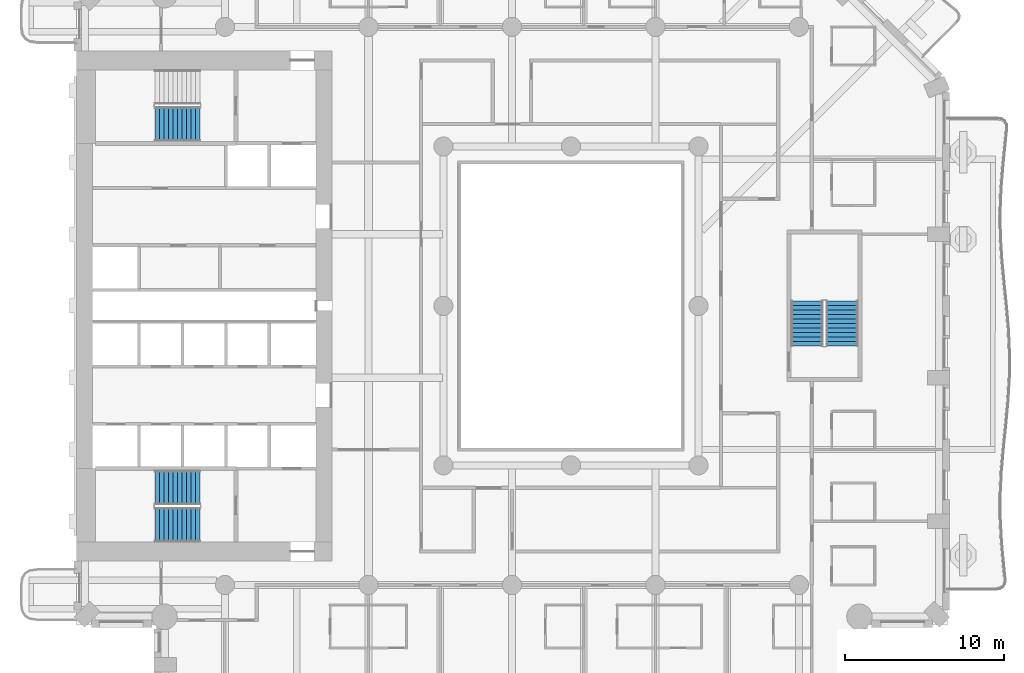
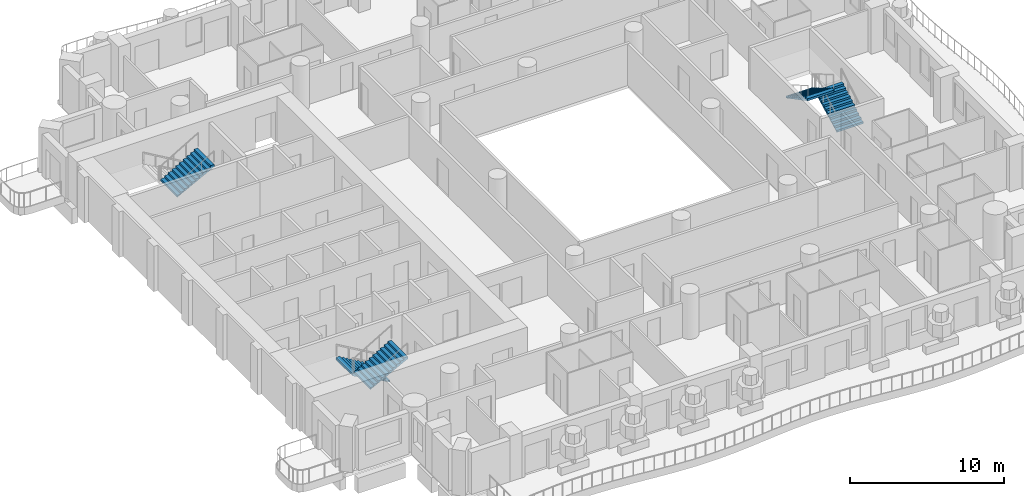
# One storey, part 11 of 20: 5 stair flights, 3 elements without a shape of their own.
"""IFC4 building model written with IfcOpenShell, lengths in metres."""

from ifc_helpers import new_model, si_unit, direction, frame, origin, place, context, subcontext, project, spatial, triangles, material, type_object, element, aggregate, save


model = new_model("IFC4")

# Units and contexts
model_context = context("Model", 3, precision=1e-05, world=origin(), true_north=direction((0.0, 1.0)))
body_context = subcontext(model_context, "Body", "Model", "MODEL_VIEW")
ifc_project = project(units=[si_unit("LENGTHUNIT", "METRE"), si_unit("AREAUNIT", "SQUARE_METRE"), si_unit("VOLUMEUNIT", "CUBIC_METRE"), si_unit("PLANEANGLEUNIT", "RADIAN"), si_unit("MASSUNIT", "GRAM", prefix="KILO")], contexts=[model_context])

# Site, building, storey
site_placement = place(None, origin())
site = spatial("IfcSite", under=ifc_project, at=site_placement, CompositionType="ELEMENT")
building_placement = place(site_placement, origin())
building = spatial("IfcBuilding", under=site, at=building_placement, Name="Cypress Arch Tower", CompositionType="ELEMENT")
storey_placement = place(building_placement, frame((0.0, 0.0, 59.10009765625)))
storey = spatial("IfcBuildingStorey", under=building, at=storey_placement, Name="L08", CompositionType="ELEMENT", Elevation=59.10009765625)

# Stair, stair flights
ifc_material_1 = material(Name="Concrete C40/50", Category="concrete")
stair_type_1 = type_object("IfcStairType", Name="Exit stair ES1636-200", PredefinedType="HALF_TURN_STAIR", material=ifc_material_1)
stair_1_placement = place(storey_placement, origin())
stair_1 = element("IfcStair", 1, at=stair_1_placement, inside=storey, type_object=stair_type_1, Name="L08 Exit stair C", PredefinedType="HALF_TURN_STAIR")
ifc_material_2 = material(Name="Concrete C40/50", Category="concrete")
stair_flight_type_1 = type_object("IfcStairFlightType", Name="Exit stair flight ES1636-200", PredefinedType="STRAIGHT", material=ifc_material_2)
stair_flight_1_placement = place(storey_placement, frame((18.0, -2.5, 0.0), z_axis=(0.0, 0.0, 1.0), x_axis=(0.0, 1.0, 0.0)))
stair_flight_1 = element("IfcStairFlight", 2, at=stair_flight_1_placement, type_object=stair_flight_type_1, Name="C flight 1", NumberOfRisers=11, NumberOfTreads=10, PredefinedType="STRAIGHT", RiserHeight=0.163636364, TreadLength=0.28, context=body_context, shape_type="Tessellation", body=[
    triangles([(0.0, -1.0, 0.0), (0.00048828125, -1.0, 0.054443359375), (0.00048828125, -1.0, 0.109130859375), (0.0, -1.0, 0.16357421875), (0.280029296875, -1.0, 0.16357421875), (0.280029296875, -1.0, 0.327392578125), (0.56005859375, -1.0, 0.327392578125), (0.56005859375, -1.0, 0.490966796875), (0.840087890625, -1.0, 0.490966796875), (0.840087890625, -1.0, 0.654541015625), (1.1201171875, -1.0, 0.654541015625), (1.1201171875, -1.0, 0.818115234375), (1.39990234375, -1.0, 0.818115234375), (1.39990234375, -1.0, 0.98193359375), (1.679931640625, -1.0, 0.98193359375), (1.679931640625, -1.0, 1.1455078125), (1.9599609375, -1.0, 1.1455078125), (1.9599609375, -1.0, 1.30908203125), (2.239990234375, -1.0, 1.30908203125), (2.239990234375, -1.0, 1.47265625), (2.52001953125, -1.0, 1.47265625), (2.52001953125, -1.0, 1.636474609375), (2.800048828125, -1.0, 1.636474609375), (2.799560546875, -1.0, 1.57861328125), (2.799560546875, -1.0, 1.5205078125), (2.800048828125, -1.0, 1.462646484375), (2.800048828125, 1.0, 1.462646484375), (2.799560546875, 1.0, 1.5205078125), (2.799560546875, 1.0, 1.57861328125), (2.800048828125, 1.0, 1.636474609375), (2.52001953125, 1.0, 1.636474609375), (2.52001953125, 1.0, 1.47265625), (2.239990234375, 1.0, 1.47265625), (2.239990234375, 1.0, 1.30908203125), (1.9599609375, 1.0, 1.30908203125), (1.9599609375, 1.0, 1.1455078125), (1.679931640625, 1.0, 1.1455078125), (1.679931640625, 1.0, 0.98193359375), (1.39990234375, 1.0, 0.98193359375), (1.39990234375, 1.0, 0.818115234375), (1.1201171875, 1.0, 0.818115234375), (1.1201171875, 1.0, 0.654541015625), (0.840087890625, 1.0, 0.654541015625), (0.840087890625, 1.0, 0.490966796875), (0.56005859375, 1.0, 0.490966796875), (0.56005859375, 1.0, 0.327392578125), (0.280029296875, 1.0, 0.327392578125), (0.280029296875, 1.0, 0.16357421875), (0.0, 1.0, 0.16357421875), (0.00048828125, 1.0, 0.109130859375), (0.00048828125, 1.0, 0.054443359375), (0.0, 1.0, 0.0), (2.799560546875, 0.0, 1.5205078125), (2.800048828125, 0.0, 1.462646484375), (2.799560546875, 0.0, 1.57861328125), (2.800048828125, 0.0, 1.636474609375), (2.52001953125, 0.0, 1.636474609375), (2.52001953125, 0.0, 1.47265625), (2.239990234375, 0.0, 1.47265625), (2.239990234375, 0.0, 1.30908203125), (1.9599609375, 0.0, 1.30908203125), (1.9599609375, 0.0, 1.1455078125), (1.679931640625, 0.0, 1.1455078125), (1.679931640625, 0.0, 0.98193359375), (1.39990234375, 0.0, 0.98193359375), (1.39990234375, 0.0, 0.818115234375), (1.1201171875, 0.0, 0.818115234375), (1.1201171875, 0.0, 0.654541015625), (0.840087890625, 0.0, 0.654541015625), (0.840087890625, 0.0, 0.490966796875), (0.56005859375, 0.0, 0.490966796875), (0.56005859375, 0.0, 0.327392578125), (0.280029296875, 0.0, 0.327392578125), (0.280029296875, 0.0, 0.16357421875), (0.0, 0.0, 0.16357421875), (0.00048828125, 0.0, 0.109130859375), (0.00048828125, 0.0, 0.054443359375), (0.0, 0.0, 0.0)], [[26, 25, 22], [25, 24, 22], [24, 23, 22], [15, 14, 13], [7, 6, 5], [13, 12, 11], [21, 20, 19], [19, 18, 17], [17, 16, 15], [11, 10, 9], [9, 8, 7], [4, 3, 5], [3, 2, 5], [2, 1, 5], [26, 22, 21], [26, 21, 19], [26, 19, 17], [26, 17, 15], [26, 15, 13], [26, 13, 11], [26, 11, 9], [26, 9, 7], [26, 7, 5], [26, 5, 1], [27, 31, 28], [28, 31, 29], [29, 31, 30], [38, 40, 39], [46, 48, 47], [40, 42, 41], [32, 34, 33], [34, 36, 35], [36, 38, 37], [42, 44, 43], [44, 46, 45], [49, 48, 50], [50, 48, 51], [51, 48, 52], [27, 32, 31], [27, 34, 32], [27, 36, 34], [27, 38, 36], [27, 40, 38], [27, 42, 40], [27, 44, 42], [27, 46, 44], [27, 48, 46], [27, 52, 48], [54, 53, 25], [54, 25, 26], [27, 28, 53], [27, 53, 54], [53, 55, 24], [53, 24, 25], [28, 29, 55], [28, 55, 53], [55, 56, 23], [55, 23, 24], [29, 30, 56], [29, 56, 55], [56, 57, 22], [56, 22, 23], [30, 31, 57], [30, 57, 56], [57, 58, 21], [57, 21, 22], [31, 32, 58], [31, 58, 57], [58, 59, 20], [58, 20, 21], [32, 33, 59], [32, 59, 58], [59, 60, 19], [59, 19, 20], [33, 34, 60], [33, 60, 59], [60, 61, 18], [60, 18, 19], [34, 35, 61], [34, 61, 60], [61, 62, 17], [61, 17, 18], [35, 36, 62], [35, 62, 61], [62, 63, 16], [62, 16, 17], [36, 37, 63], [36, 63, 62], [63, 64, 15], [63, 15, 16], [37, 38, 64], [37, 64, 63], [64, 65, 14], [64, 14, 15], [38, 39, 65], [38, 65, 64], [65, 66, 13], [65, 13, 14], [39, 40, 66], [39, 66, 65], [66, 67, 12], [66, 12, 13], [40, 41, 67], [40, 67, 66], [67, 68, 11], [67, 11, 12], [41, 42, 68], [41, 68, 67], [68, 69, 10], [68, 10, 11], [42, 43, 69], [42, 69, 68], [69, 70, 9], [69, 9, 10], [43, 44, 70], [43, 70, 69], [70, 71, 8], [70, 8, 9], [44, 45, 71], [44, 71, 70], [71, 72, 7], [71, 7, 8], [45, 46, 72], [45, 72, 71], [72, 73, 6], [72, 6, 7], [46, 47, 73], [46, 73, 72], [73, 74, 5], [73, 5, 6], [47, 48, 74], [47, 74, 73], [74, 75, 4], [74, 4, 5], [48, 49, 75], [48, 75, 74], [75, 76, 3], [75, 3, 4], [49, 50, 76], [49, 76, 75], [76, 77, 2], [76, 2, 3], [50, 51, 77], [50, 77, 76], [77, 78, 1], [77, 1, 2], [51, 52, 78], [51, 78, 77], [78, 54, 26], [78, 26, 1], [52, 27, 54], [52, 54, 78]], closed=True),
])
stair_flight_2_placement = place(storey_placement, frame((15.800048828125, 0.300048828125, 1.7998046875), z_axis=(0.0, 0.0, 1.0), x_axis=(0.0, -1.0, 0.0)))
stair_flight_2 = element("IfcStairFlight", 3, at=stair_flight_2_placement, type_object=stair_flight_type_1, Name="C flight 2", NumberOfRisers=11, NumberOfTreads=10, PredefinedType="STRAIGHT", RiserHeight=0.163636364, TreadLength=0.28, context=body_context, shape_type="Tessellation", body=[
    triangles([(0.0, -1.0, 0.0), (0.00048828125, -1.0, 0.054443359375), (0.00048828125, -1.0, 0.109130859375), (0.0, -1.0, 0.16357421875), (0.280029296875, -1.0, 0.16357421875), (0.280029296875, -1.0, 0.327392578125), (0.56005859375, -1.0, 0.327392578125), (0.56005859375, -1.0, 0.490966796875), (0.840087890625, -1.0, 0.490966796875), (0.840087890625, -1.0, 0.654541015625), (1.1201171875, -1.0, 0.654541015625), (1.1201171875, -1.0, 0.818115234375), (1.39990234375, -1.0, 0.818115234375), (1.39990234375, -1.0, 0.98193359375), (1.679931640625, -1.0, 0.98193359375), (1.679931640625, -1.0, 1.1455078125), (1.9599609375, -1.0, 1.1455078125), (1.9599609375, -1.0, 1.30908203125), (2.239990234375, -1.0, 1.30908203125), (2.239990234375, -1.0, 1.47265625), (2.52001953125, -1.0, 1.47265625), (2.52001953125, -1.0, 1.636474609375), (2.800048828125, -1.0, 1.636474609375), (2.799560546875, -1.0, 1.57861328125), (2.799560546875, -1.0, 1.5205078125), (2.800048828125, -1.0, 1.462646484375), (2.800048828125, 1.0, 1.462646484375), (2.799560546875, 1.0, 1.5205078125), (2.799560546875, 1.0, 1.57861328125), (2.800048828125, 1.0, 1.636474609375), (2.52001953125, 1.0, 1.636474609375), (2.52001953125, 1.0, 1.47265625), (2.239990234375, 1.0, 1.47265625), (2.239990234375, 1.0, 1.30908203125), (1.9599609375, 1.0, 1.30908203125), (1.9599609375, 1.0, 1.1455078125), (1.679931640625, 1.0, 1.1455078125), (1.679931640625, 1.0, 0.98193359375), (1.39990234375, 1.0, 0.98193359375), (1.39990234375, 1.0, 0.818115234375), (1.1201171875, 1.0, 0.818115234375), (1.1201171875, 1.0, 0.654541015625), (0.840087890625, 1.0, 0.654541015625), (0.840087890625, 1.0, 0.490966796875), (0.56005859375, 1.0, 0.490966796875), (0.56005859375, 1.0, 0.327392578125), (0.280029296875, 1.0, 0.327392578125), (0.280029296875, 1.0, 0.16357421875), (0.0, 1.0, 0.16357421875), (0.00048828125, 1.0, 0.109130859375), (0.00048828125, 1.0, 0.054443359375), (0.0, 1.0, 0.0), (2.799560546875, 0.0, 1.5205078125), (2.800048828125, 0.0, 1.462646484375), (2.799560546875, 0.0, 1.57861328125), (2.800048828125, 0.0, 1.636474609375), (2.52001953125, 0.0, 1.636474609375), (2.52001953125, 0.0, 1.47265625), (2.239990234375, 0.0, 1.47265625), (2.239990234375, 0.0, 1.30908203125), (1.9599609375, 0.0, 1.30908203125), (1.9599609375, 0.0, 1.1455078125), (1.679931640625, 0.0, 1.1455078125), (1.679931640625, 0.0, 0.98193359375), (1.39990234375, 0.0, 0.98193359375), (1.39990234375, 0.0, 0.818115234375), (1.1201171875, 0.0, 0.818115234375), (1.1201171875, 0.0, 0.654541015625), (0.840087890625, 0.0, 0.654541015625), (0.840087890625, 0.0, 0.490966796875), (0.56005859375, 0.0, 0.490966796875), (0.56005859375, 0.0, 0.327392578125), (0.280029296875, 0.0, 0.327392578125), (0.280029296875, 0.0, 0.16357421875), (0.0, 0.0, 0.16357421875), (0.00048828125, 0.0, 0.109130859375), (0.00048828125, 0.0, 0.054443359375), (0.0, 0.0, 0.0)], [[26, 25, 22], [25, 24, 22], [24, 23, 22], [15, 14, 13], [7, 6, 5], [13, 12, 11], [21, 20, 19], [19, 18, 17], [17, 16, 15], [11, 10, 9], [9, 8, 7], [4, 3, 5], [3, 2, 5], [2, 1, 5], [26, 22, 21], [26, 21, 19], [26, 19, 17], [26, 17, 15], [26, 15, 13], [26, 13, 11], [26, 11, 9], [26, 9, 7], [26, 7, 5], [26, 5, 1], [27, 31, 28], [28, 31, 29], [29, 31, 30], [38, 40, 39], [46, 48, 47], [40, 42, 41], [32, 34, 33], [34, 36, 35], [36, 38, 37], [42, 44, 43], [44, 46, 45], [49, 48, 50], [50, 48, 51], [51, 48, 52], [27, 32, 31], [27, 34, 32], [27, 36, 34], [27, 38, 36], [27, 40, 38], [27, 42, 40], [27, 44, 42], [27, 46, 44], [27, 48, 46], [27, 52, 48], [54, 53, 25], [54, 25, 26], [27, 28, 53], [27, 53, 54], [53, 55, 24], [53, 24, 25], [28, 29, 55], [28, 55, 53], [55, 56, 23], [55, 23, 24], [29, 30, 56], [29, 56, 55], [56, 57, 22], [56, 22, 23], [30, 31, 57], [30, 57, 56], [57, 58, 21], [57, 21, 22], [31, 32, 58], [31, 58, 57], [58, 59, 20], [58, 20, 21], [32, 33, 59], [32, 59, 58], [59, 60, 19], [59, 19, 20], [33, 34, 60], [33, 60, 59], [60, 61, 18], [60, 18, 19], [34, 35, 61], [34, 61, 60], [61, 62, 17], [61, 17, 18], [35, 36, 62], [35, 62, 61], [62, 63, 16], [62, 16, 17], [36, 37, 63], [36, 63, 62], [63, 64, 15], [63, 15, 16], [37, 38, 64], [37, 64, 63], [64, 65, 14], [64, 14, 15], [38, 39, 65], [38, 65, 64], [65, 66, 13], [65, 13, 14], [39, 40, 66], [39, 66, 65], [66, 67, 12], [66, 12, 13], [40, 41, 67], [40, 67, 66], [67, 68, 11], [67, 11, 12], [41, 42, 68], [41, 68, 67], [68, 69, 10], [68, 10, 11], [42, 43, 69], [42, 69, 68], [69, 70, 9], [69, 9, 10], [43, 44, 70], [43, 70, 69], [70, 71, 8], [70, 8, 9], [44, 45, 71], [44, 71, 70], [71, 72, 7], [71, 7, 8], [45, 46, 72], [45, 72, 71], [72, 73, 6], [72, 6, 7], [46, 47, 73], [46, 73, 72], [73, 74, 5], [73, 5, 6], [47, 48, 74], [47, 74, 73], [74, 75, 4], [74, 4, 5], [48, 49, 75], [48, 75, 74], [75, 76, 3], [75, 3, 4], [49, 50, 76], [49, 76, 75], [76, 77, 2], [76, 2, 3], [50, 51, 77], [50, 77, 76], [77, 78, 1], [77, 1, 2], [51, 52, 78], [51, 78, 77], [78, 54, 26], [78, 26, 1], [52, 27, 54], [52, 54, 78]], closed=True),
])
aggregate(stair_1, [stair_flight_1, stair_flight_2])

ifc_material_3 = material(Name="Concrete C40/50", Category="concrete")
stair_type_2 = type_object("IfcStairType", Name="Exit stair ES1636-215", PredefinedType="HALF_TURN_STAIR", material=ifc_material_3)
stair_2_placement = place(storey_placement, origin())
stair_2 = element("IfcStair", 4, at=stair_2_placement, inside=storey, type_object=stair_type_2, Name="L08 Exit stair A", PredefinedType="HALF_TURN_STAIR")
ifc_material_4 = material(Name="Concrete C40/50", Category="concrete")
stair_flight_type_2 = type_object("IfcStairFlightType", Name="Exit stair flight ES1636-215", PredefinedType="STRAIGHT", material=ifc_material_4)
stair_flight_3_placement = place(storey_placement, frame((-22.27490234375, -11.39990234375, 0.0), z_axis=(0.0, 0.0, 1.0), x_axis=(-1.0, 0.0, 0.0)))
stair_flight_3 = element("IfcStairFlight", 5, at=stair_flight_3_placement, type_object=stair_flight_type_2, Name="A flight 1", NumberOfRisers=11, NumberOfTreads=10, PredefinedType="STRAIGHT", RiserHeight=0.163636364, TreadLength=0.28, context=body_context, shape_type="Tessellation", body=[
    triangles([(0.0, -1.074951171875, 0.0), (0.000244140625, -1.074951171875, 0.03271484375), (0.00048828125, -1.074951171875, 0.0654296875), (0.00048828125, -1.074951171875, 0.09814453125), (0.000244140625, -1.074951171875, 0.130859375), (0.0, -1.074951171875, 0.16357421875), (0.280029296875, -1.074951171875, 0.16357421875), (0.280029296875, -1.074951171875, 0.327392578125), (0.56005859375, -1.074951171875, 0.327392578125), (0.56005859375, -1.074951171875, 0.490966796875), (0.840087890625, -1.074951171875, 0.490966796875), (0.840087890625, -1.074951171875, 0.654541015625), (1.1201171875, -1.074951171875, 0.654541015625), (1.1201171875, -1.074951171875, 0.818115234375), (1.39990234375, -1.074951171875, 0.818115234375), (1.39990234375, -1.074951171875, 0.98193359375), (1.679931640625, -1.074951171875, 0.98193359375), (1.679931640625, -1.074951171875, 1.1455078125), (1.9599609375, -1.074951171875, 1.1455078125), (1.9599609375, -1.074951171875, 1.30908203125), (2.239990234375, -1.074951171875, 1.30908203125), (2.239990234375, -1.074951171875, 1.47265625), (2.52001953125, -1.074951171875, 1.47265625), (2.52001953125, -1.074951171875, 1.636474609375), (2.800048828125, -1.074951171875, 1.636474609375), (2.7998046875, -1.074951171875, 1.601806640625), (2.799560546875, -1.074951171875, 1.56689453125), (2.799560546875, -1.074951171875, 1.5322265625), (2.7998046875, -1.074951171875, 1.497314453125), (2.800048828125, -1.074951171875, 1.462646484375), (2.800048828125, 1.074951171875, 1.462646484375), (2.7998046875, 1.074951171875, 1.497314453125), (2.799560546875, 1.074951171875, 1.5322265625), (2.799560546875, 1.074951171875, 1.56689453125), (2.7998046875, 1.074951171875, 1.601806640625), (2.800048828125, 1.074951171875, 1.636474609375), (2.52001953125, 1.074951171875, 1.636474609375), (2.52001953125, 1.074951171875, 1.47265625), (2.239990234375, 1.074951171875, 1.47265625), (2.239990234375, 1.074951171875, 1.30908203125), (1.9599609375, 1.074951171875, 1.30908203125), (1.9599609375, 1.074951171875, 1.1455078125), (1.679931640625, 1.074951171875, 1.1455078125), (1.679931640625, 1.074951171875, 0.98193359375), (1.39990234375, 1.074951171875, 0.98193359375), (1.39990234375, 1.074951171875, 0.818115234375), (1.1201171875, 1.074951171875, 0.818115234375), (1.1201171875, 1.074951171875, 0.654541015625), (0.840087890625, 1.074951171875, 0.654541015625), (0.840087890625, 1.074951171875, 0.490966796875), (0.56005859375, 1.074951171875, 0.490966796875), (0.56005859375, 1.074951171875, 0.327392578125), (0.280029296875, 1.074951171875, 0.327392578125), (0.280029296875, 1.074951171875, 0.16357421875), (0.0, 1.074951171875, 0.16357421875), (0.000244140625, 1.074951171875, 0.130859375), (0.00048828125, 1.074951171875, 0.09814453125), (0.00048828125, 1.074951171875, 0.0654296875), (0.000244140625, 1.074951171875, 0.03271484375), (0.0, 1.074951171875, 0.0), (2.7998046875, 0.0, 1.497314453125), (2.800048828125, 0.0, 1.462646484375), (2.799560546875, 0.0, 1.5322265625), (2.799560546875, 0.0, 1.56689453125), (2.7998046875, 0.0, 1.601806640625), (2.800048828125, 0.0, 1.636474609375), (2.52001953125, 0.0, 1.636474609375), (2.52001953125, 0.0, 1.47265625), (2.239990234375, 0.0, 1.47265625), (2.239990234375, 0.0, 1.30908203125), (1.9599609375, 0.0, 1.30908203125), (1.9599609375, 0.0, 1.1455078125), (1.679931640625, 0.0, 1.1455078125), (1.679931640625, 0.0, 0.98193359375), (1.39990234375, 0.0, 0.98193359375), (1.39990234375, 0.0, 0.818115234375), (1.1201171875, 0.0, 0.818115234375), (1.1201171875, 0.0, 0.654541015625), (0.840087890625, 0.0, 0.654541015625), (0.840087890625, 0.0, 0.490966796875), (0.56005859375, 0.0, 0.490966796875), (0.56005859375, 0.0, 0.327392578125), (0.280029296875, 0.0, 0.327392578125), (0.280029296875, 0.0, 0.16357421875), (0.0, 0.0, 0.16357421875), (0.000244140625, 0.0, 0.130859375), (0.00048828125, 0.0, 0.09814453125), (0.00048828125, 0.0, 0.0654296875), (0.000244140625, 0.0, 0.03271484375), (0.0, 0.0, 0.0)], [[30, 29, 24], [29, 28, 24], [28, 27, 24], [27, 26, 24], [26, 25, 24], [17, 16, 15], [9, 8, 7], [15, 14, 13], [23, 22, 21], [21, 20, 19], [19, 18, 17], [13, 12, 11], [11, 10, 9], [6, 5, 7], [5, 4, 7], [4, 3, 7], [3, 2, 7], [2, 1, 7], [30, 24, 23], [30, 23, 21], [30, 21, 19], [30, 19, 17], [30, 17, 15], [30, 15, 13], [30, 13, 11], [30, 11, 9], [30, 9, 7], [30, 7, 1], [31, 37, 32], [32, 37, 33], [33, 37, 34], [34, 37, 35], [35, 37, 36], [44, 46, 45], [52, 54, 53], [46, 48, 47], [38, 40, 39], [40, 42, 41], [42, 44, 43], [48, 50, 49], [50, 52, 51], [55, 54, 56], [56, 54, 57], [57, 54, 58], [58, 54, 59], [59, 54, 60], [31, 38, 37], [31, 40, 38], [31, 42, 40], [31, 44, 42], [31, 46, 44], [31, 48, 46], [31, 50, 48], [31, 52, 50], [31, 54, 52], [31, 60, 54], [62, 61, 29], [62, 29, 30], [31, 32, 61], [31, 61, 62], [61, 63, 28], [61, 28, 29], [32, 33, 63], [32, 63, 61], [63, 64, 27], [63, 27, 28], [33, 34, 64], [33, 64, 63], [64, 65, 26], [64, 26, 27], [34, 35, 65], [34, 65, 64], [65, 66, 25], [65, 25, 26], [35, 36, 66], [35, 66, 65], [66, 67, 24], [66, 24, 25], [36, 37, 67], [36, 67, 66], [67, 68, 23], [67, 23, 24], [37, 38, 68], [37, 68, 67], [68, 69, 22], [68, 22, 23], [38, 39, 69], [38, 69, 68], [69, 70, 21], [69, 21, 22], [39, 40, 70], [39, 70, 69], [70, 71, 20], [70, 20, 21], [40, 41, 71], [40, 71, 70], [71, 72, 19], [71, 19, 20], [41, 42, 72], [41, 72, 71], [72, 73, 18], [72, 18, 19], [42, 43, 73], [42, 73, 72], [73, 74, 17], [73, 17, 18], [43, 44, 74], [43, 74, 73], [74, 75, 16], [74, 16, 17], [44, 45, 75], [44, 75, 74], [75, 76, 15], [75, 15, 16], [45, 46, 76], [45, 76, 75], [76, 77, 14], [76, 14, 15], [46, 47, 77], [46, 77, 76], [77, 78, 13], [77, 13, 14], [47, 48, 78], [47, 78, 77], [78, 79, 12], [78, 12, 13], [48, 49, 79], [48, 79, 78], [79, 80, 11], [79, 11, 12], [49, 50, 80], [49, 80, 79], [80, 81, 10], [80, 10, 11], [50, 51, 81], [50, 81, 80], [81, 82, 9], [81, 9, 10], [51, 52, 82], [51, 82, 81], [82, 83, 8], [82, 8, 9], [52, 53, 83], [52, 83, 82], [83, 84, 7], [83, 7, 8], [53, 54, 84], [53, 84, 83], [84, 85, 6], [84, 6, 7], [54, 55, 85], [54, 85, 84], [85, 86, 5], [85, 5, 6], [55, 56, 86], [55, 86, 85], [86, 87, 4], [86, 4, 5], [56, 57, 87], [56, 87, 86], [87, 88, 3], [87, 3, 4], [57, 58, 88], [57, 88, 87], [88, 89, 2], [88, 2, 3], [58, 59, 89], [58, 89, 88], [89, 90, 1], [89, 1, 2], [59, 60, 90], [59, 90, 89], [90, 62, 30], [90, 30, 1], [60, 31, 62], [60, 62, 90]], closed=True),
])
stair_flight_4_placement = place(storey_placement, frame((-25.074951171875, -13.72509765625, 1.7998046875), z_axis=(0.0, 0.0, 1.0), x_axis=(1.0, 0.0, 0.0)))
stair_flight_4 = element("IfcStairFlight", 6, at=stair_flight_4_placement, type_object=stair_flight_type_2, Name="A flight 2", NumberOfRisers=11, NumberOfTreads=10, PredefinedType="STRAIGHT", RiserHeight=0.163636364, TreadLength=0.28, context=body_context, shape_type="Tessellation", body=[
    triangles([(0.0, -1.074951171875, 0.0), (0.000244140625, -1.074951171875, 0.03271484375), (0.00048828125, -1.074951171875, 0.0654296875), (0.00048828125, -1.074951171875, 0.09814453125), (0.000244140625, -1.074951171875, 0.130859375), (0.0, -1.074951171875, 0.16357421875), (0.280029296875, -1.074951171875, 0.16357421875), (0.280029296875, -1.074951171875, 0.327392578125), (0.56005859375, -1.074951171875, 0.327392578125), (0.56005859375, -1.074951171875, 0.490966796875), (0.840087890625, -1.074951171875, 0.490966796875), (0.840087890625, -1.074951171875, 0.654541015625), (1.1201171875, -1.074951171875, 0.654541015625), (1.1201171875, -1.074951171875, 0.818115234375), (1.39990234375, -1.074951171875, 0.818115234375), (1.39990234375, -1.074951171875, 0.98193359375), (1.679931640625, -1.074951171875, 0.98193359375), (1.679931640625, -1.074951171875, 1.1455078125), (1.9599609375, -1.074951171875, 1.1455078125), (1.9599609375, -1.074951171875, 1.30908203125), (2.239990234375, -1.074951171875, 1.30908203125), (2.239990234375, -1.074951171875, 1.47265625), (2.52001953125, -1.074951171875, 1.47265625), (2.52001953125, -1.074951171875, 1.636474609375), (2.800048828125, -1.074951171875, 1.636474609375), (2.7998046875, -1.074951171875, 1.601806640625), (2.799560546875, -1.074951171875, 1.56689453125), (2.799560546875, -1.074951171875, 1.5322265625), (2.7998046875, -1.074951171875, 1.497314453125), (2.800048828125, -1.074951171875, 1.462646484375), (2.800048828125, 1.074951171875, 1.462646484375), (2.7998046875, 1.074951171875, 1.497314453125), (2.799560546875, 1.074951171875, 1.5322265625), (2.799560546875, 1.074951171875, 1.56689453125), (2.7998046875, 1.074951171875, 1.601806640625), (2.800048828125, 1.074951171875, 1.636474609375), (2.52001953125, 1.074951171875, 1.636474609375), (2.52001953125, 1.074951171875, 1.47265625), (2.239990234375, 1.074951171875, 1.47265625), (2.239990234375, 1.074951171875, 1.30908203125), (1.9599609375, 1.074951171875, 1.30908203125), (1.9599609375, 1.074951171875, 1.1455078125), (1.679931640625, 1.074951171875, 1.1455078125), (1.679931640625, 1.074951171875, 0.98193359375), (1.39990234375, 1.074951171875, 0.98193359375), (1.39990234375, 1.074951171875, 0.818115234375), (1.1201171875, 1.074951171875, 0.818115234375), (1.1201171875, 1.074951171875, 0.654541015625), (0.840087890625, 1.074951171875, 0.654541015625), (0.840087890625, 1.074951171875, 0.490966796875), (0.56005859375, 1.074951171875, 0.490966796875), (0.56005859375, 1.074951171875, 0.327392578125), (0.280029296875, 1.074951171875, 0.327392578125), (0.280029296875, 1.074951171875, 0.16357421875), (0.0, 1.074951171875, 0.16357421875), (0.000244140625, 1.074951171875, 0.130859375), (0.00048828125, 1.074951171875, 0.09814453125), (0.00048828125, 1.074951171875, 0.0654296875), (0.000244140625, 1.074951171875, 0.03271484375), (0.0, 1.074951171875, 0.0), (2.7998046875, 0.0, 1.497314453125), (2.800048828125, 0.0, 1.462646484375), (2.799560546875, 0.0, 1.5322265625), (2.799560546875, 0.0, 1.56689453125), (2.7998046875, 0.0, 1.601806640625), (2.800048828125, 0.0, 1.636474609375), (2.52001953125, 0.0, 1.636474609375), (2.52001953125, 0.0, 1.47265625), (2.239990234375, 0.0, 1.47265625), (2.239990234375, 0.0, 1.30908203125), (1.9599609375, 0.0, 1.30908203125), (1.9599609375, 0.0, 1.1455078125), (1.679931640625, 0.0, 1.1455078125), (1.679931640625, 0.0, 0.98193359375), (1.39990234375, 0.0, 0.98193359375), (1.39990234375, 0.0, 0.818115234375), (1.1201171875, 0.0, 0.818115234375), (1.1201171875, 0.0, 0.654541015625), (0.840087890625, 0.0, 0.654541015625), (0.840087890625, 0.0, 0.490966796875), (0.56005859375, 0.0, 0.490966796875), (0.56005859375, 0.0, 0.327392578125), (0.280029296875, 0.0, 0.327392578125), (0.280029296875, 0.0, 0.16357421875), (0.0, 0.0, 0.16357421875), (0.000244140625, 0.0, 0.130859375), (0.00048828125, 0.0, 0.09814453125), (0.00048828125, 0.0, 0.0654296875), (0.000244140625, 0.0, 0.03271484375), (0.0, 0.0, 0.0)], [[30, 29, 24], [29, 28, 24], [28, 27, 24], [27, 26, 24], [26, 25, 24], [17, 16, 15], [9, 8, 7], [15, 14, 13], [23, 22, 21], [21, 20, 19], [19, 18, 17], [13, 12, 11], [11, 10, 9], [6, 5, 7], [5, 4, 7], [4, 3, 7], [3, 2, 7], [2, 1, 7], [30, 24, 23], [30, 23, 21], [30, 21, 19], [30, 19, 17], [30, 17, 15], [30, 15, 13], [30, 13, 11], [30, 11, 9], [30, 9, 7], [30, 7, 1], [31, 37, 32], [32, 37, 33], [33, 37, 34], [34, 37, 35], [35, 37, 36], [44, 46, 45], [52, 54, 53], [46, 48, 47], [38, 40, 39], [40, 42, 41], [42, 44, 43], [48, 50, 49], [50, 52, 51], [55, 54, 56], [56, 54, 57], [57, 54, 58], [58, 54, 59], [59, 54, 60], [31, 38, 37], [31, 40, 38], [31, 42, 40], [31, 44, 42], [31, 46, 44], [31, 48, 46], [31, 50, 48], [31, 52, 50], [31, 54, 52], [31, 60, 54], [62, 61, 29], [62, 29, 30], [31, 32, 61], [31, 61, 62], [61, 63, 28], [61, 28, 29], [32, 33, 63], [32, 63, 61], [63, 64, 27], [63, 27, 28], [33, 34, 64], [33, 64, 63], [64, 65, 26], [64, 26, 27], [34, 35, 65], [34, 65, 64], [65, 66, 25], [65, 25, 26], [35, 36, 66], [35, 66, 65], [66, 67, 24], [66, 24, 25], [36, 37, 67], [36, 67, 66], [67, 68, 23], [67, 23, 24], [37, 38, 68], [37, 68, 67], [68, 69, 22], [68, 22, 23], [38, 39, 69], [38, 69, 68], [69, 70, 21], [69, 21, 22], [39, 40, 70], [39, 70, 69], [70, 71, 20], [70, 20, 21], [40, 41, 71], [40, 71, 70], [71, 72, 19], [71, 19, 20], [41, 42, 72], [41, 72, 71], [72, 73, 18], [72, 18, 19], [42, 43, 73], [42, 73, 72], [73, 74, 17], [73, 17, 18], [43, 44, 74], [43, 74, 73], [74, 75, 16], [74, 16, 17], [44, 45, 75], [44, 75, 74], [75, 76, 15], [75, 15, 16], [45, 46, 76], [45, 76, 75], [76, 77, 14], [76, 14, 15], [46, 47, 77], [46, 77, 76], [77, 78, 13], [77, 13, 14], [47, 48, 78], [47, 78, 77], [78, 79, 12], [78, 12, 13], [48, 49, 79], [48, 79, 78], [79, 80, 11], [79, 11, 12], [49, 50, 80], [49, 80, 79], [80, 81, 10], [80, 10, 11], [50, 51, 81], [50, 81, 80], [81, 82, 9], [81, 9, 10], [51, 52, 82], [51, 82, 81], [82, 83, 8], [82, 8, 9], [52, 53, 83], [52, 83, 82], [83, 84, 7], [83, 7, 8], [53, 54, 84], [53, 84, 83], [84, 85, 6], [84, 6, 7], [54, 55, 85], [54, 85, 84], [85, 86, 5], [85, 5, 6], [55, 56, 86], [55, 86, 85], [86, 87, 4], [86, 4, 5], [56, 57, 87], [56, 87, 86], [87, 88, 3], [87, 3, 4], [57, 58, 88], [57, 88, 87], [88, 89, 2], [88, 2, 3], [58, 59, 89], [58, 89, 88], [89, 90, 1], [89, 1, 2], [59, 60, 90], [59, 90, 89], [90, 62, 30], [90, 30, 1], [60, 31, 62], [60, 62, 90]], closed=True),
])
aggregate(stair_2, [stair_flight_3, stair_flight_4])

# Stair, stair flight
stair_3_placement = place(storey_placement, origin())
stair_3 = element("IfcStair", 7, at=stair_3_placement, inside=storey, type_object=stair_type_2, Name="L08 Exit stair B", PredefinedType="HALF_TURN_STAIR")
stair_flight_5_placement = place(storey_placement, frame((-25.074951171875, 11.39990234375, 1.7998046875), z_axis=(0.0, 0.0, 1.0), x_axis=(1.0, 0.0, 0.0)))
stair_flight_5 = element("IfcStairFlight", 8, at=stair_flight_5_placement, type_object=stair_flight_type_2, Name="B flight 2", NumberOfRisers=11, NumberOfTreads=10, PredefinedType="STRAIGHT", RiserHeight=0.163636364, TreadLength=0.28, context=body_context, shape_type="Tessellation", body=[
    triangles([(0.0, -1.074951171875, 0.0), (0.000244140625, -1.074951171875, 0.03271484375), (0.00048828125, -1.074951171875, 0.0654296875), (0.00048828125, -1.074951171875, 0.09814453125), (0.000244140625, -1.074951171875, 0.130859375), (0.0, -1.074951171875, 0.16357421875), (0.280029296875, -1.074951171875, 0.16357421875), (0.280029296875, -1.074951171875, 0.327392578125), (0.56005859375, -1.074951171875, 0.327392578125), (0.56005859375, -1.074951171875, 0.490966796875), (0.840087890625, -1.074951171875, 0.490966796875), (0.840087890625, -1.074951171875, 0.654541015625), (1.1201171875, -1.074951171875, 0.654541015625), (1.1201171875, -1.074951171875, 0.818115234375), (1.39990234375, -1.074951171875, 0.818115234375), (1.39990234375, -1.074951171875, 0.98193359375), (1.679931640625, -1.074951171875, 0.98193359375), (1.679931640625, -1.074951171875, 1.1455078125), (1.9599609375, -1.074951171875, 1.1455078125), (1.9599609375, -1.074951171875, 1.30908203125), (2.239990234375, -1.074951171875, 1.30908203125), (2.239990234375, -1.074951171875, 1.47265625), (2.52001953125, -1.074951171875, 1.47265625), (2.52001953125, -1.074951171875, 1.636474609375), (2.800048828125, -1.074951171875, 1.636474609375), (2.7998046875, -1.074951171875, 1.601806640625), (2.799560546875, -1.074951171875, 1.56689453125), (2.799560546875, -1.074951171875, 1.5322265625), (2.7998046875, -1.074951171875, 1.497314453125), (2.800048828125, -1.074951171875, 1.462646484375), (2.800048828125, 1.074951171875, 1.462646484375), (2.7998046875, 1.074951171875, 1.497314453125), (2.799560546875, 1.074951171875, 1.5322265625), (2.799560546875, 1.074951171875, 1.56689453125), (2.7998046875, 1.074951171875, 1.601806640625), (2.800048828125, 1.074951171875, 1.636474609375), (2.52001953125, 1.074951171875, 1.636474609375), (2.52001953125, 1.074951171875, 1.47265625), (2.239990234375, 1.074951171875, 1.47265625), (2.239990234375, 1.074951171875, 1.30908203125), (1.9599609375, 1.074951171875, 1.30908203125), (1.9599609375, 1.074951171875, 1.1455078125), (1.679931640625, 1.074951171875, 1.1455078125), (1.679931640625, 1.074951171875, 0.98193359375), (1.39990234375, 1.074951171875, 0.98193359375), (1.39990234375, 1.074951171875, 0.818115234375), (1.1201171875, 1.074951171875, 0.818115234375), (1.1201171875, 1.074951171875, 0.654541015625), (0.840087890625, 1.074951171875, 0.654541015625), (0.840087890625, 1.074951171875, 0.490966796875), (0.56005859375, 1.074951171875, 0.490966796875), (0.56005859375, 1.074951171875, 0.327392578125), (0.280029296875, 1.074951171875, 0.327392578125), (0.280029296875, 1.074951171875, 0.16357421875), (0.0, 1.074951171875, 0.16357421875), (0.000244140625, 1.074951171875, 0.130859375), (0.00048828125, 1.074951171875, 0.09814453125), (0.00048828125, 1.074951171875, 0.0654296875), (0.000244140625, 1.074951171875, 0.03271484375), (0.0, 1.074951171875, 0.0), (2.7998046875, 0.0, 1.497314453125), (2.800048828125, 0.0, 1.462646484375), (2.799560546875, 0.0, 1.5322265625), (2.799560546875, 0.0, 1.56689453125), (2.7998046875, 0.0, 1.601806640625), (2.800048828125, 0.0, 1.636474609375), (2.52001953125, 0.0, 1.636474609375), (2.52001953125, 0.0, 1.47265625), (2.239990234375, 0.0, 1.47265625), (2.239990234375, 0.0, 1.30908203125), (1.9599609375, 0.0, 1.30908203125), (1.9599609375, 0.0, 1.1455078125), (1.679931640625, 0.0, 1.1455078125), (1.679931640625, 0.0, 0.98193359375), (1.39990234375, 0.0, 0.98193359375), (1.39990234375, 0.0, 0.818115234375), (1.1201171875, 0.0, 0.818115234375), (1.1201171875, 0.0, 0.654541015625), (0.840087890625, 0.0, 0.654541015625), (0.840087890625, 0.0, 0.490966796875), (0.56005859375, 0.0, 0.490966796875), (0.56005859375, 0.0, 0.327392578125), (0.280029296875, 0.0, 0.327392578125), (0.280029296875, 0.0, 0.16357421875), (0.0, 0.0, 0.16357421875), (0.000244140625, 0.0, 0.130859375), (0.00048828125, 0.0, 0.09814453125), (0.00048828125, 0.0, 0.0654296875), (0.000244140625, 0.0, 0.03271484375), (0.0, 0.0, 0.0)], [[30, 29, 24], [29, 28, 24], [28, 27, 24], [27, 26, 24], [26, 25, 24], [17, 16, 15], [9, 8, 7], [15, 14, 13], [23, 22, 21], [21, 20, 19], [19, 18, 17], [13, 12, 11], [11, 10, 9], [6, 5, 7], [5, 4, 7], [4, 3, 7], [3, 2, 7], [2, 1, 7], [30, 24, 23], [30, 23, 21], [30, 21, 19], [30, 19, 17], [30, 17, 15], [30, 15, 13], [30, 13, 11], [30, 11, 9], [30, 9, 7], [30, 7, 1], [31, 37, 32], [32, 37, 33], [33, 37, 34], [34, 37, 35], [35, 37, 36], [44, 46, 45], [52, 54, 53], [46, 48, 47], [38, 40, 39], [40, 42, 41], [42, 44, 43], [48, 50, 49], [50, 52, 51], [55, 54, 56], [56, 54, 57], [57, 54, 58], [58, 54, 59], [59, 54, 60], [31, 38, 37], [31, 40, 38], [31, 42, 40], [31, 44, 42], [31, 46, 44], [31, 48, 46], [31, 50, 48], [31, 52, 50], [31, 54, 52], [31, 60, 54], [62, 61, 29], [62, 29, 30], [31, 32, 61], [31, 61, 62], [61, 63, 28], [61, 28, 29], [32, 33, 63], [32, 63, 61], [63, 64, 27], [63, 27, 28], [33, 34, 64], [33, 64, 63], [64, 65, 26], [64, 26, 27], [34, 35, 65], [34, 65, 64], [65, 66, 25], [65, 25, 26], [35, 36, 66], [35, 66, 65], [66, 67, 24], [66, 24, 25], [36, 37, 67], [36, 67, 66], [67, 68, 23], [67, 23, 24], [37, 38, 68], [37, 68, 67], [68, 69, 22], [68, 22, 23], [38, 39, 69], [38, 69, 68], [69, 70, 21], [69, 21, 22], [39, 40, 70], [39, 70, 69], [70, 71, 20], [70, 20, 21], [40, 41, 71], [40, 71, 70], [71, 72, 19], [71, 19, 20], [41, 42, 72], [41, 72, 71], [72, 73, 18], [72, 18, 19], [42, 43, 73], [42, 73, 72], [73, 74, 17], [73, 17, 18], [43, 44, 74], [43, 74, 73], [74, 75, 16], [74, 16, 17], [44, 45, 75], [44, 75, 74], [75, 76, 15], [75, 15, 16], [45, 46, 76], [45, 76, 75], [76, 77, 14], [76, 14, 15], [46, 47, 77], [46, 77, 76], [77, 78, 13], [77, 13, 14], [47, 48, 78], [47, 78, 77], [78, 79, 12], [78, 12, 13], [48, 49, 79], [48, 79, 78], [79, 80, 11], [79, 11, 12], [49, 50, 80], [49, 80, 79], [80, 81, 10], [80, 10, 11], [50, 51, 81], [50, 81, 80], [81, 82, 9], [81, 9, 10], [51, 52, 82], [51, 82, 81], [82, 83, 8], [82, 8, 9], [52, 53, 83], [52, 83, 82], [83, 84, 7], [83, 7, 8], [53, 54, 84], [53, 84, 83], [84, 85, 6], [84, 6, 7], [54, 55, 85], [54, 85, 84], [85, 86, 5], [85, 5, 6], [55, 56, 86], [55, 86, 85], [86, 87, 4], [86, 4, 5], [56, 57, 87], [56, 87, 86], [87, 88, 3], [87, 3, 4], [57, 58, 88], [57, 88, 87], [88, 89, 2], [88, 2, 3], [58, 59, 89], [58, 89, 88], [89, 90, 1], [89, 1, 2], [59, 60, 90], [59, 90, 89], [90, 62, 30], [90, 30, 1], [60, 31, 62], [60, 62, 90]], closed=True),
])
aggregate(stair_3, [stair_flight_5])

save(model, "model.ifc")
